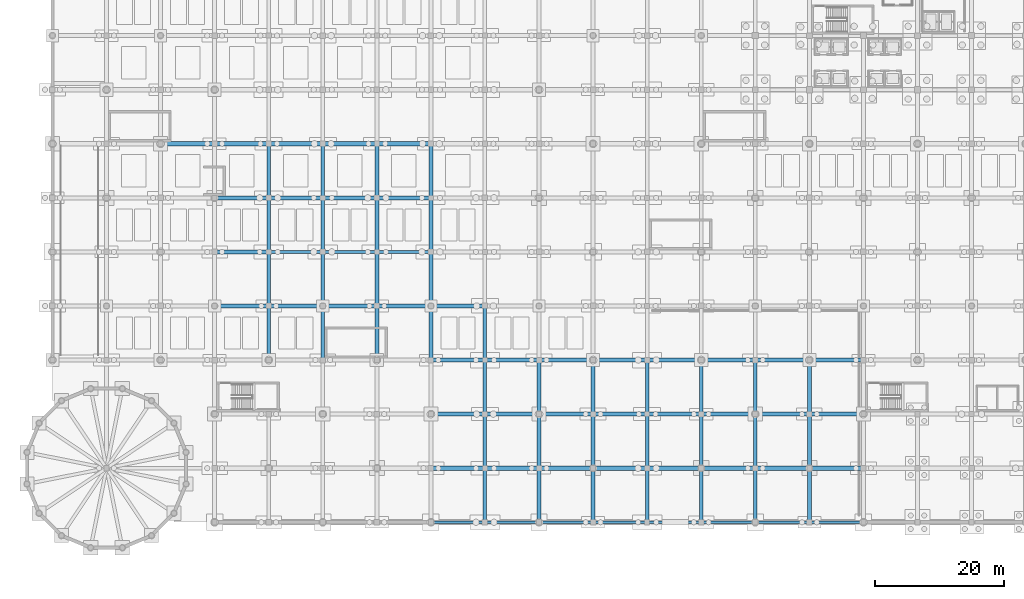
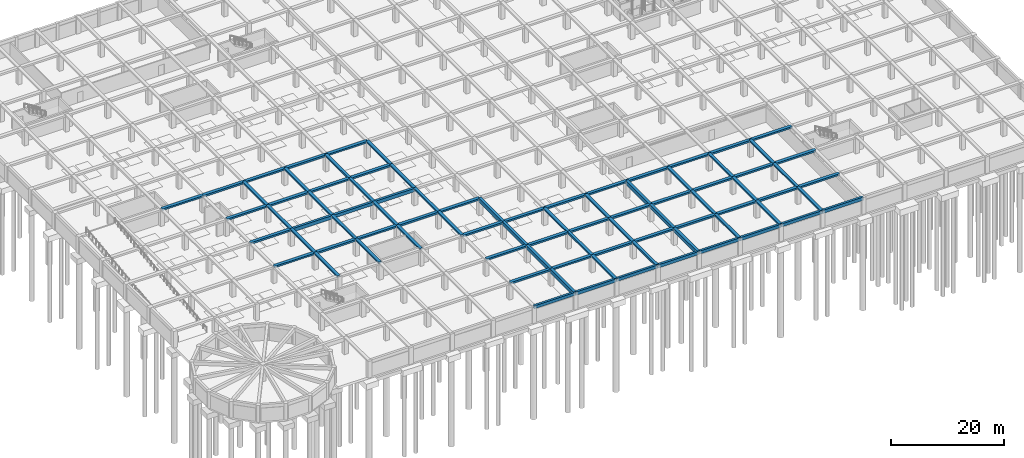
# One storey, part 12 of 47: 88 beams.
"""IFC4 building model written with IfcOpenShell, lengths in metres."""

from ifc_helpers import new_model, si_unit, direction, frame, origin, origin_2d, place, context, subcontext, project, spatial, rectangle, extrude, material, material_profile, profile_set, type_object, element, save


model = new_model("IFC4")

# Units and contexts
model_context = context("Model", 3, precision=1e-05, world=origin(), true_north=direction((0.0, 1.0)))
body_context = subcontext(model_context, "Body", "Model", "MODEL_VIEW")
ifc_project = project(units=[si_unit("LENGTHUNIT", "METRE"), si_unit("AREAUNIT", "SQUARE_METRE"), si_unit("VOLUMEUNIT", "CUBIC_METRE"), si_unit("PLANEANGLEUNIT", "RADIAN"), si_unit("MASSUNIT", "GRAM", prefix="KILO")], contexts=[model_context])

# Site, building, storey
site_placement = place(None, origin())
site = spatial("IfcSite", under=ifc_project, at=site_placement, CompositionType="ELEMENT")
building_placement = place(site_placement, origin())
building = spatial("IfcBuilding", under=site, at=building_placement, Name="Almacenes y Pasaje Nevantli", CompositionType="ELEMENT")
storey_placement = place(building_placement, frame((0.0, 0.0, -8.10009765625)))
storey = spatial("IfcBuildingStorey", under=building, at=storey_placement, Name="B02", CompositionType="ELEMENT", Elevation=-8.10009765625)

# Beams
ifc_material_1 = material(Name="Concrete C35/45", Category="concrete")
ifc_material_profile_1 = material_profile(ifc_material_1, rectangle(XDim=0.449951171875, YDim=0.64990234375, at=origin_2d()), Name="RC-BM-450x650")
ifc_profile_set_1 = profile_set([ifc_material_profile_1], Name="Concrete C35/45")
beam_type_1 = type_object("IfcBeamType", Name="BM-RC-450x650", PredefinedType="SPANDREL", material=ifc_profile_set_1)
for number, where, z_axis, x_axis, name in (
    (1, (58.800048828125, 0.0, 3.275146484375), (1.0, 0.0, 0.0), (0.0, 1.0, 0.0), "B02 East-West Reinforced Concrete Beam #5"),
    (2, (75.60009765625, 0.0, 3.275146484375), (1.0, 0.0, 0.0), (0.0, 1.0, 0.0), "B02 East-West Reinforced Concrete Beam #7"),
):
    element("IfcBeam", number, at=place(storey_placement, frame(where, z_axis=z_axis, x_axis=x_axis)), inside=storey, type_object=beam_type_1, Name=name, PredefinedType="SPANDREL", context=body_context, shape_type="SweptSolid", body=[
        extrude(rectangle(XDim=0.449951171875, YDim=0.64990234375, at=origin_2d()), origin(), (0.0, 0.0, 1.0), 8.39990234375),
    ])
for number, where, z_axis, x_axis, name in (
    (3, (92.39990234375, 0.0, 3.275146484375), (1.0, 0.0, 0.0), (0.0, 1.0, 0.0), "B02 East-West Reinforced Concrete Beam #9"),
    (4, (109.199951171875, 0.0, 3.275146484375), (1.0, 0.0, 0.0), (0.0, 1.0, 0.0), "B02 East-West Reinforced Concrete Beam #11"),
):
    element("IfcBeam", number, at=place(storey_placement, frame(where, z_axis=z_axis, x_axis=x_axis)), inside=storey, type_object=beam_type_1, Name=name, PredefinedType="SPANDREL", context=body_context, shape_type="SweptSolid", body=[
        extrude(rectangle(XDim=0.449951171875, YDim=0.64990234375, at=origin_2d()), origin(), (0.0, 0.0, 1.0), 8.400146484375),
    ])
ifc_material_2 = material(Name="Concrete C35/45", Category="concrete")
ifc_material_profile_2 = material_profile(ifc_material_2, rectangle(XDim=0.449951171875, YDim=0.699951171875, at=origin_2d()), Name="RC-BM-450x700")
ifc_profile_set_2 = profile_set([ifc_material_profile_2], Name="Concrete C35/45")
beam_type_2 = type_object("IfcBeamType", Name="BM-RC-450x700", PredefinedType="SPANDREL", material=ifc_profile_set_2)
beam_1_placement = place(storey_placement, frame((67.199951171875, 0.0, 3.25), z_axis=(1.0, 0.0, 0.0), x_axis=(0.0, 1.0, 0.0)))
element("IfcBeam", 5, at=beam_1_placement, inside=storey, type_object=beam_type_2, Name="B02 East-West Reinforced Concrete Beam #6", PredefinedType="SPANDREL", context=body_context, shape_type="SweptSolid", body=[
    extrude(rectangle(XDim=0.449951171875, YDim=0.699951171875, at=origin_2d()), origin(), (0.0, 0.0, 1.0), 8.400146484375),
])
for number, where, z_axis, x_axis, name in (
    (6, (84.0, 0.0, 3.25), (1.0, 0.0, 0.0), (0.0, 1.0, 0.0), "B02 East-West Reinforced Concrete Beam #8"),
    (7, (100.800048828125, 0.0, 3.25), (1.0, 0.0, 0.0), (0.0, 1.0, 0.0), "B02 East-West Reinforced Concrete Beam #10"),
    (8, (117.60009765625, 0.0, 3.25), (1.0, 0.0, 0.0), (0.0, 1.0, 0.0), "B02 East-West Reinforced Concrete Beam #12"),
):
    element("IfcBeam", number, at=place(storey_placement, frame(where, z_axis=z_axis, x_axis=x_axis)), inside=storey, type_object=beam_type_2, Name=name, PredefinedType="SPANDREL", context=body_context, shape_type="SweptSolid", body=[
        extrude(rectangle(XDim=0.449951171875, YDim=0.699951171875, at=origin_2d()), origin(), (0.0, 0.0, 1.0), 8.39990234375),
    ])
ifc_material_3 = material(Name="Concrete C35/45", Category="concrete")
ifc_material_profile_3 = material_profile(ifc_material_3, rectangle(XDim=0.5, YDim=0.699951171875, at=origin_2d()), Name="RC-BM-500x700")
ifc_profile_set_3 = profile_set([ifc_material_profile_3], Name="Concrete C35/45")
beam_type_3 = type_object("IfcBeamType", Name="BM-RC-500x700", PredefinedType="BEAM", material=ifc_profile_set_3)
beam_2_placement = place(storey_placement, frame((42.0, 42.0, 3.25), z_axis=(1.0, 0.0, 0.0), x_axis=(0.0, 1.0, 0.0)))
element("IfcBeam", 9, at=beam_2_placement, inside=storey, type_object=beam_type_3, Name="B02 East-West Reinforced Concrete Beam #97", PredefinedType="BEAM", context=body_context, shape_type="SweptSolid", body=[
    extrude(rectangle(XDim=0.5, YDim=0.699951171875, at=origin_2d()), origin(), (0.0, 0.0, 1.0), 8.39990234375),
])
ifc_material_4 = material(Name="Concrete C35/45", Category="concrete")
ifc_material_profile_4 = material_profile(ifc_material_4, rectangle(XDim=0.5, YDim=0.75, at=origin_2d()), Name="RC-BM-500x750")
ifc_profile_set_4 = profile_set([ifc_material_profile_4], Name="Concrete C35/45")
beam_type_4 = type_object("IfcBeamType", Name="BM-RC-500x750", PredefinedType="BEAM", material=ifc_profile_set_4)
beam_3_placement = place(storey_placement, frame((33.60009765625, 42.0, 3.22509765625), z_axis=(1.0, 0.0, 0.0), x_axis=(0.0, 1.0, 0.0)))
element("IfcBeam", 10, at=beam_3_placement, inside=storey, type_object=beam_type_4, Name="B02 East-West Reinforced Concrete Beam #96", PredefinedType="BEAM", context=body_context, shape_type="SweptSolid", body=[
    extrude(rectangle(XDim=0.5, YDim=0.75, at=origin_2d()), origin(), (0.0, 0.0, 1.0), 8.39990234375),
])
beam_4_placement = place(storey_placement, frame((50.39990234375, 42.0, 3.22509765625), z_axis=(1.0, 0.0, 0.0), x_axis=(0.0, 1.0, 0.0)))
element("IfcBeam", 11, at=beam_4_placement, inside=storey, type_object=beam_type_4, Name="B02 East-West Reinforced Concrete Beam #98", PredefinedType="BEAM", context=body_context, shape_type="SweptSolid", body=[
    extrude(rectangle(XDim=0.5, YDim=0.75, at=origin_2d()), origin(), (0.0, 0.0, 1.0), 8.400146484375),
])
ifc_material_5 = material(Name="Concrete C35/45", Category="concrete")
ifc_material_profile_5 = material_profile(ifc_material_5, rectangle(XDim=0.550048828125, YDim=0.800048828125, at=origin_2d()), Name="RC-BM-550x800")
ifc_profile_set_5 = profile_set([ifc_material_profile_5], Name="Concrete C35/45")
beam_type_5 = type_object("IfcBeamType", Name="BM-RC-550x800", PredefinedType="BEAM", material=ifc_profile_set_5)
beam_5_placement = place(storey_placement, frame((67.199951171875, 0.0, 3.2001953125), z_axis=(0.0, 1.0, 0.0), x_axis=(-1.0, 0.0, 0.0)))
element("IfcBeam", 12, at=beam_5_placement, inside=storey, type_object=beam_type_5, Name="B02 North-South Reinforced Concrete Beam #392", PredefinedType="BEAM", context=body_context, shape_type="SweptSolid", body=[
    extrude(rectangle(XDim=0.550048828125, YDim=0.800048828125, at=origin_2d()), origin(), (0.0, 0.0, 1.0), 8.39990234375),
])
beam_6_placement = place(storey_placement, frame((67.199951171875, 8.39990234375, 3.2001953125), z_axis=(0.0, 1.0, 0.0), x_axis=(-1.0, 0.0, 0.0)))
element("IfcBeam", 13, at=beam_6_placement, inside=storey, type_object=beam_type_5, Name="B02 North-South Reinforced Concrete Beam #393", PredefinedType="BEAM", context=body_context, shape_type="SweptSolid", body=[
    extrude(rectangle(XDim=0.550048828125, YDim=0.800048828125, at=origin_2d()), origin(), (0.0, 0.0, 1.0), 8.400146484375),
])
beam_7_placement = place(storey_placement, frame((67.199951171875, 16.800048828125, 3.2001953125), z_axis=(0.0, 1.0, 0.0), x_axis=(-1.0, 0.0, 0.0)))
element("IfcBeam", 14, at=beam_7_placement, inside=storey, type_object=beam_type_5, Name="B02 North-South Reinforced Concrete Beam #394", PredefinedType="BEAM", context=body_context, shape_type="SweptSolid", body=[
    extrude(rectangle(XDim=0.550048828125, YDim=0.800048828125, at=origin_2d()), origin(), (0.0, 0.0, 1.0), 8.39990234375),
])
beam_8_placement = place(storey_placement, frame((67.199951171875, 25.199951171875, 3.2001953125), z_axis=(0.0, 1.0, 0.0), x_axis=(-1.0, 0.0, 0.0)))
element("IfcBeam", 15, at=beam_8_placement, inside=storey, type_object=beam_type_5, Name="B02 North-South Reinforced Concrete Beam #395", PredefinedType="BEAM", context=body_context, shape_type="SweptSolid", body=[
    extrude(rectangle(XDim=0.550048828125, YDim=0.800048828125, at=origin_2d()), origin(), (0.0, 0.0, 1.0), 8.400146484375),
])
beam_9_placement = place(storey_placement, frame((92.39990234375, 0.0, 3.2001953125), z_axis=(0.0, 1.0, 0.0), x_axis=(-1.0, 0.0, 0.0)))
element("IfcBeam", 16, at=beam_9_placement, inside=storey, type_object=beam_type_5, Name="B02 North-South Reinforced Concrete Beam #434", PredefinedType="BEAM", context=body_context, shape_type="SweptSolid", body=[
    extrude(rectangle(XDim=0.550048828125, YDim=0.800048828125, at=origin_2d()), origin(), (0.0, 0.0, 1.0), 8.39990234375),
])
beam_10_placement = place(storey_placement, frame((92.39990234375, 8.39990234375, 3.2001953125), z_axis=(0.0, 1.0, 0.0), x_axis=(-1.0, 0.0, 0.0)))
element("IfcBeam", 17, at=beam_10_placement, inside=storey, type_object=beam_type_5, Name="B02 North-South Reinforced Concrete Beam #435", PredefinedType="BEAM", context=body_context, shape_type="SweptSolid", body=[
    extrude(rectangle(XDim=0.550048828125, YDim=0.800048828125, at=origin_2d()), origin(), (0.0, 0.0, 1.0), 8.400146484375),
])
beam_11_placement = place(storey_placement, frame((92.39990234375, 16.800048828125, 3.2001953125), z_axis=(0.0, 1.0, 0.0), x_axis=(-1.0, 0.0, 0.0)))
element("IfcBeam", 18, at=beam_11_placement, inside=storey, type_object=beam_type_5, Name="B02 North-South Reinforced Concrete Beam #436", PredefinedType="BEAM", context=body_context, shape_type="SweptSolid", body=[
    extrude(rectangle(XDim=0.550048828125, YDim=0.800048828125, at=origin_2d()), origin(), (0.0, 0.0, 1.0), 8.39990234375),
])
ifc_material_6 = material(Name="Concrete C35/45", Category="concrete")
ifc_material_profile_6 = material_profile(ifc_material_6, rectangle(XDim=0.60009765625, YDim=0.320068359375, at=origin_2d()), Name="RC-BM-600x320")
ifc_profile_set_6 = profile_set([ifc_material_profile_6], Name="Concrete C35/45")
beam_type_6 = type_object("IfcBeamType", Name="BM-RC-600x320", PredefinedType="BEAM", material=ifc_profile_set_6)
beam_12_placement = place(storey_placement, frame((33.60009765625, 25.199951171875, 3.440185546875), z_axis=(0.0, 1.0, 0.0), x_axis=(-1.0, 0.0, 0.0)))
element("IfcBeam", 19, at=beam_12_placement, inside=storey, type_object=beam_type_6, Name="B02 North-South Reinforced Concrete Beam #340", PredefinedType="BEAM", context=body_context, shape_type="SweptSolid", body=[
    extrude(rectangle(XDim=0.60009765625, YDim=0.320068359375, at=origin_2d()), origin(), (0.0, 0.0, 1.0), 8.400146484375),
])
for number, where, z_axis, x_axis, name in (
    (20, (33.60009765625, 42.0, 3.440185546875), (0.0, 1.0, 0.0), (-1.0, 0.0, 0.0), "B02 North-South Reinforced Concrete Beam #342"),
    (21, (42.0, 33.60009765625, 3.440185546875), (0.0, 1.0, 0.0), (-1.0, 0.0, 0.0), "B02 North-South Reinforced Concrete Beam #355"),
):
    element("IfcBeam", number, at=place(storey_placement, frame(where, z_axis=z_axis, x_axis=x_axis)), inside=storey, type_object=beam_type_6, Name=name, PredefinedType="BEAM", context=body_context, shape_type="SweptSolid", body=[
        extrude(rectangle(XDim=0.60009765625, YDim=0.320068359375, at=origin_2d()), origin(), (0.0, 0.0, 1.0), 8.39990234375),
    ])
for number, where, z_axis, x_axis, name in (
    (22, (42.0, 50.39990234375, 3.440185546875), (0.0, 1.0, 0.0), (-1.0, 0.0, 0.0), "B02 North-South Reinforced Concrete Beam #357"),
    (23, (50.39990234375, 25.199951171875, 3.440185546875), (0.0, 1.0, 0.0), (-1.0, 0.0, 0.0), "B02 North-South Reinforced Concrete Beam #368"),
):
    element("IfcBeam", number, at=place(storey_placement, frame(where, z_axis=z_axis, x_axis=x_axis)), inside=storey, type_object=beam_type_6, Name=name, PredefinedType="BEAM", context=body_context, shape_type="SweptSolid", body=[
        extrude(rectangle(XDim=0.60009765625, YDim=0.320068359375, at=origin_2d()), origin(), (0.0, 0.0, 1.0), 8.400146484375),
    ])
for number, where, z_axis, x_axis, name in (
    (24, (50.39990234375, 42.0, 3.440185546875), (0.0, 1.0, 0.0), (-1.0, 0.0, 0.0), "B02 North-South Reinforced Concrete Beam #370"),
    (25, (58.800048828125, 33.60009765625, 3.440185546875), (0.0, 1.0, 0.0), (-1.0, 0.0, 0.0), "B02 North-South Reinforced Concrete Beam #383"),
):
    element("IfcBeam", number, at=place(storey_placement, frame(where, z_axis=z_axis, x_axis=x_axis)), inside=storey, type_object=beam_type_6, Name=name, PredefinedType="BEAM", context=body_context, shape_type="SweptSolid", body=[
        extrude(rectangle(XDim=0.60009765625, YDim=0.320068359375, at=origin_2d()), origin(), (0.0, 0.0, 1.0), 8.39990234375),
    ])
beam_13_placement = place(storey_placement, frame((58.800048828125, 50.39990234375, 3.440185546875), z_axis=(0.0, 1.0, 0.0), x_axis=(-1.0, 0.0, 0.0)))
element("IfcBeam", 26, at=beam_13_placement, inside=storey, type_object=beam_type_6, Name="B02 North-South Reinforced Concrete Beam #385", PredefinedType="BEAM", context=body_context, shape_type="SweptSolid", body=[
    extrude(rectangle(XDim=0.60009765625, YDim=0.320068359375, at=origin_2d()), origin(), (0.0, 0.0, 1.0), 8.400146484375),
])
for number, where, z_axis, x_axis, name in (
    (27, (75.60009765625, 0.0, 3.440185546875), (0.0, 1.0, 0.0), (-1.0, 0.0, 0.0), "B02 North-South Reinforced Concrete Beam #406"),
    (28, (75.60009765625, 16.800048828125, 3.440185546875), (0.0, 1.0, 0.0), (-1.0, 0.0, 0.0), "B02 North-South Reinforced Concrete Beam #408"),
):
    element("IfcBeam", number, at=place(storey_placement, frame(where, z_axis=z_axis, x_axis=x_axis)), inside=storey, type_object=beam_type_6, Name=name, PredefinedType="BEAM", context=body_context, shape_type="SweptSolid", body=[
        extrude(rectangle(XDim=0.60009765625, YDim=0.320068359375, at=origin_2d()), origin(), (0.0, 0.0, 1.0), 8.39990234375),
    ])
for number, where, z_axis, x_axis, name in (
    (29, (84.0, 8.39990234375, 3.440185546875), (0.0, 1.0, 0.0), (-1.0, 0.0, 0.0), "B02 North-South Reinforced Concrete Beam #421"),
    (30, (100.800048828125, 8.39990234375, 3.440185546875), (0.0, 1.0, 0.0), (-1.0, 0.0, 0.0), "B02 North-South Reinforced Concrete Beam #449"),
):
    element("IfcBeam", number, at=place(storey_placement, frame(where, z_axis=z_axis, x_axis=x_axis)), inside=storey, type_object=beam_type_6, Name=name, PredefinedType="BEAM", context=body_context, shape_type="SweptSolid", body=[
        extrude(rectangle(XDim=0.60009765625, YDim=0.320068359375, at=origin_2d()), origin(), (0.0, 0.0, 1.0), 8.400146484375),
    ])
for number, where, z_axis, x_axis, name in (
    (31, (109.199951171875, 0.0, 3.440185546875), (0.0, 1.0, 0.0), (-1.0, 0.0, 0.0), "B02 North-South Reinforced Concrete Beam #462"),
    (32, (109.199951171875, 16.800048828125, 3.440185546875), (0.0, 1.0, 0.0), (-1.0, 0.0, 0.0), "B02 North-South Reinforced Concrete Beam #464"),
):
    element("IfcBeam", number, at=place(storey_placement, frame(where, z_axis=z_axis, x_axis=x_axis)), inside=storey, type_object=beam_type_6, Name=name, PredefinedType="BEAM", context=body_context, shape_type="SweptSolid", body=[
        extrude(rectangle(XDim=0.60009765625, YDim=0.320068359375, at=origin_2d()), origin(), (0.0, 0.0, 1.0), 8.39990234375),
    ])
beam_14_placement = place(storey_placement, frame((117.60009765625, 8.39990234375, 3.440185546875), z_axis=(0.0, 1.0, 0.0), x_axis=(-1.0, 0.0, 0.0)))
element("IfcBeam", 33, at=beam_14_placement, inside=storey, type_object=beam_type_6, Name="B02 North-South Reinforced Concrete Beam #477", PredefinedType="BEAM", context=body_context, shape_type="SweptSolid", body=[
    extrude(rectangle(XDim=0.60009765625, YDim=0.320068359375, at=origin_2d()), origin(), (0.0, 0.0, 1.0), 8.400146484375),
])
ifc_material_7 = material(Name="Concrete C35/45", Category="concrete")
ifc_material_profile_7 = material_profile(ifc_material_7, rectangle(XDim=0.60009765625, YDim=0.340087890625, at=origin_2d()), Name="RC-BM-600x340")
ifc_profile_set_7 = profile_set([ifc_material_profile_7], Name="Concrete C35/45")
beam_type_7 = type_object("IfcBeamType", Name="BM-RC-600x340", PredefinedType="BEAM", material=ifc_profile_set_7)
beam_15_placement = place(storey_placement, frame((33.60009765625, 33.60009765625, 3.43017578125), z_axis=(0.0, 1.0, 0.0), x_axis=(-1.0, 0.0, 0.0)))
element("IfcBeam", 34, at=beam_15_placement, inside=storey, type_object=beam_type_7, Name="B02 North-South Reinforced Concrete Beam #341", PredefinedType="BEAM", context=body_context, shape_type="SweptSolid", body=[
    extrude(rectangle(XDim=0.60009765625, YDim=0.340087890625, at=origin_2d()), origin(), (0.0, 0.0, 1.0), 8.39990234375),
])
for number, where, z_axis, x_axis, name in (
    (35, (33.60009765625, 50.39990234375, 3.43017578125), (0.0, 1.0, 0.0), (-1.0, 0.0, 0.0), "B02 North-South Reinforced Concrete Beam #343"),
    (36, (42.0, 25.199951171875, 3.43017578125), (0.0, 1.0, 0.0), (-1.0, 0.0, 0.0), "B02 North-South Reinforced Concrete Beam #354"),
):
    element("IfcBeam", number, at=place(storey_placement, frame(where, z_axis=z_axis, x_axis=x_axis)), inside=storey, type_object=beam_type_7, Name=name, PredefinedType="BEAM", context=body_context, shape_type="SweptSolid", body=[
        extrude(rectangle(XDim=0.60009765625, YDim=0.340087890625, at=origin_2d()), origin(), (0.0, 0.0, 1.0), 8.400146484375),
    ])
for number, where, z_axis, x_axis, name in (
    (37, (42.0, 42.0, 3.43017578125), (0.0, 1.0, 0.0), (-1.0, 0.0, 0.0), "B02 North-South Reinforced Concrete Beam #356"),
    (38, (50.39990234375, 33.60009765625, 3.43017578125), (0.0, 1.0, 0.0), (-1.0, 0.0, 0.0), "B02 North-South Reinforced Concrete Beam #369"),
):
    element("IfcBeam", number, at=place(storey_placement, frame(where, z_axis=z_axis, x_axis=x_axis)), inside=storey, type_object=beam_type_7, Name=name, PredefinedType="BEAM", context=body_context, shape_type="SweptSolid", body=[
        extrude(rectangle(XDim=0.60009765625, YDim=0.340087890625, at=origin_2d()), origin(), (0.0, 0.0, 1.0), 8.39990234375),
    ])
for number, where, z_axis, x_axis, name in (
    (39, (50.39990234375, 50.39990234375, 3.43017578125), (0.0, 1.0, 0.0), (-1.0, 0.0, 0.0), "B02 North-South Reinforced Concrete Beam #371"),
    (40, (58.800048828125, 25.199951171875, 3.43017578125), (0.0, 1.0, 0.0), (-1.0, 0.0, 0.0), "B02 North-South Reinforced Concrete Beam #382"),
):
    element("IfcBeam", number, at=place(storey_placement, frame(where, z_axis=z_axis, x_axis=x_axis)), inside=storey, type_object=beam_type_7, Name=name, PredefinedType="BEAM", context=body_context, shape_type="SweptSolid", body=[
        extrude(rectangle(XDim=0.60009765625, YDim=0.340087890625, at=origin_2d()), origin(), (0.0, 0.0, 1.0), 8.400146484375),
    ])
beam_16_placement = place(storey_placement, frame((58.800048828125, 42.0, 3.43017578125), z_axis=(0.0, 1.0, 0.0), x_axis=(-1.0, 0.0, 0.0)))
element("IfcBeam", 41, at=beam_16_placement, inside=storey, type_object=beam_type_7, Name="B02 North-South Reinforced Concrete Beam #384", PredefinedType="BEAM", context=body_context, shape_type="SweptSolid", body=[
    extrude(rectangle(XDim=0.60009765625, YDim=0.340087890625, at=origin_2d()), origin(), (0.0, 0.0, 1.0), 8.39990234375),
])
beam_17_placement = place(storey_placement, frame((75.60009765625, 8.39990234375, 3.43017578125), z_axis=(0.0, 1.0, 0.0), x_axis=(-1.0, 0.0, 0.0)))
element("IfcBeam", 42, at=beam_17_placement, inside=storey, type_object=beam_type_7, Name="B02 North-South Reinforced Concrete Beam #407", PredefinedType="BEAM", context=body_context, shape_type="SweptSolid", body=[
    extrude(rectangle(XDim=0.60009765625, YDim=0.340087890625, at=origin_2d()), origin(), (0.0, 0.0, 1.0), 8.400146484375),
])
for number, where, z_axis, x_axis, name in (
    (43, (84.0, 0.0, 3.43017578125), (0.0, 1.0, 0.0), (-1.0, 0.0, 0.0), "B02 North-South Reinforced Concrete Beam #420"),
    (44, (84.0, 16.800048828125, 3.43017578125), (0.0, 1.0, 0.0), (-1.0, 0.0, 0.0), "B02 North-South Reinforced Concrete Beam #422"),
    (45, (100.800048828125, 0.0, 3.43017578125), (0.0, 1.0, 0.0), (-1.0, 0.0, 0.0), "B02 North-South Reinforced Concrete Beam #448"),
    (46, (100.800048828125, 16.800048828125, 3.43017578125), (0.0, 1.0, 0.0), (-1.0, 0.0, 0.0), "B02 North-South Reinforced Concrete Beam #450"),
):
    element("IfcBeam", number, at=place(storey_placement, frame(where, z_axis=z_axis, x_axis=x_axis)), inside=storey, type_object=beam_type_7, Name=name, PredefinedType="BEAM", context=body_context, shape_type="SweptSolid", body=[
        extrude(rectangle(XDim=0.60009765625, YDim=0.340087890625, at=origin_2d()), origin(), (0.0, 0.0, 1.0), 8.39990234375),
    ])
beam_18_placement = place(storey_placement, frame((109.199951171875, 8.39990234375, 3.43017578125), z_axis=(0.0, 1.0, 0.0), x_axis=(-1.0, 0.0, 0.0)))
element("IfcBeam", 47, at=beam_18_placement, inside=storey, type_object=beam_type_7, Name="B02 North-South Reinforced Concrete Beam #463", PredefinedType="BEAM", context=body_context, shape_type="SweptSolid", body=[
    extrude(rectangle(XDim=0.60009765625, YDim=0.340087890625, at=origin_2d()), origin(), (0.0, 0.0, 1.0), 8.400146484375),
])
for number, where, z_axis, x_axis, name in (
    (48, (117.60009765625, 0.0, 3.43017578125), (0.0, 1.0, 0.0), (-1.0, 0.0, 0.0), "B02 North-South Reinforced Concrete Beam #476"),
    (49, (117.60009765625, 16.800048828125, 3.43017578125), (0.0, 1.0, 0.0), (-1.0, 0.0, 0.0), "B02 North-South Reinforced Concrete Beam #478"),
):
    element("IfcBeam", number, at=place(storey_placement, frame(where, z_axis=z_axis, x_axis=x_axis)), inside=storey, type_object=beam_type_7, Name=name, PredefinedType="BEAM", context=body_context, shape_type="SweptSolid", body=[
        extrude(rectangle(XDim=0.60009765625, YDim=0.340087890625, at=origin_2d()), origin(), (0.0, 0.0, 1.0), 8.39990234375),
    ])
ifc_material_8 = material(Name="Concrete C35/45", Category="concrete")
ifc_material_profile_8 = material_profile(ifc_material_8, rectangle(XDim=0.64990234375, YDim=0.35009765625, at=origin_2d()), Name="RC-BM-650x350")
ifc_profile_set_8 = profile_set([ifc_material_profile_8], Name="Concrete C35/45")
beam_type_8 = type_object("IfcBeamType", Name="BM-RC-650x350", PredefinedType="BEAM", material=ifc_profile_set_8)
beam_19_placement = place(storey_placement, frame((67.199951171875, 8.39990234375, 3.425048828125), z_axis=(1.0, 0.0, 0.0), x_axis=(0.0, 1.0, 0.0)))
element("IfcBeam", 50, at=beam_19_placement, inside=storey, type_object=beam_type_8, Name="B02 East-West Reinforced Concrete Beam #23", PredefinedType="BEAM", context=body_context, shape_type="SweptSolid", body=[
    extrude(rectangle(XDim=0.64990234375, YDim=0.35009765625, at=origin_2d()), origin(), (0.0, 0.0, 1.0), 8.400146484375),
])
for number, where, z_axis, x_axis, name in (
    (51, (84.0, 8.39990234375, 3.425048828125), (1.0, 0.0, 0.0), (0.0, 1.0, 0.0), "B02 East-West Reinforced Concrete Beam #25"),
    (52, (100.800048828125, 8.39990234375, 3.425048828125), (1.0, 0.0, 0.0), (0.0, 1.0, 0.0), "B02 East-West Reinforced Concrete Beam #27"),
    (53, (117.60009765625, 8.39990234375, 3.425048828125), (1.0, 0.0, 0.0), (0.0, 1.0, 0.0), "B02 East-West Reinforced Concrete Beam #29"),
    (54, (58.800048828125, 16.800048828125, 3.425048828125), (1.0, 0.0, 0.0), (0.0, 1.0, 0.0), "B02 East-West Reinforced Concrete Beam #39"),
    (55, (75.60009765625, 16.800048828125, 3.425048828125), (1.0, 0.0, 0.0), (0.0, 1.0, 0.0), "B02 East-West Reinforced Concrete Beam #41"),
):
    element("IfcBeam", number, at=place(storey_placement, frame(where, z_axis=z_axis, x_axis=x_axis)), inside=storey, type_object=beam_type_8, Name=name, PredefinedType="BEAM", context=body_context, shape_type="SweptSolid", body=[
        extrude(rectangle(XDim=0.64990234375, YDim=0.35009765625, at=origin_2d()), origin(), (0.0, 0.0, 1.0), 8.39990234375),
    ])
for number, where, z_axis, x_axis, name in (
    (56, (92.39990234375, 16.800048828125, 3.425048828125), (1.0, 0.0, 0.0), (0.0, 1.0, 0.0), "B02 East-West Reinforced Concrete Beam #43"),
    (57, (109.199951171875, 16.800048828125, 3.425048828125), (1.0, 0.0, 0.0), (0.0, 1.0, 0.0), "B02 East-West Reinforced Concrete Beam #45"),
    (58, (67.199951171875, 25.199951171875, 3.425048828125), (1.0, 0.0, 0.0), (0.0, 1.0, 0.0), "B02 East-West Reinforced Concrete Beam #60"),
):
    element("IfcBeam", number, at=place(storey_placement, frame(where, z_axis=z_axis, x_axis=x_axis)), inside=storey, type_object=beam_type_8, Name=name, PredefinedType="BEAM", context=body_context, shape_type="SweptSolid", body=[
        extrude(rectangle(XDim=0.64990234375, YDim=0.35009765625, at=origin_2d()), origin(), (0.0, 0.0, 1.0), 8.400146484375),
    ])
for number, where, z_axis, x_axis, name in (
    (59, (84.0, 25.199951171875, 3.425048828125), (1.0, 0.0, 0.0), (0.0, 1.0, 0.0), "B02 East-West Reinforced Concrete Beam #62"),
    (60, (100.800048828125, 25.199951171875, 3.425048828125), (1.0, 0.0, 0.0), (0.0, 1.0, 0.0), "B02 East-West Reinforced Concrete Beam #64"),
    (61, (117.60009765625, 25.199951171875, 3.425048828125), (1.0, 0.0, 0.0), (0.0, 1.0, 0.0), "B02 East-West Reinforced Concrete Beam #66"),
):
    element("IfcBeam", number, at=place(storey_placement, frame(where, z_axis=z_axis, x_axis=x_axis)), inside=storey, type_object=beam_type_8, Name=name, PredefinedType="BEAM", context=body_context, shape_type="SweptSolid", body=[
        extrude(rectangle(XDim=0.64990234375, YDim=0.35009765625, at=origin_2d()), origin(), (0.0, 0.0, 1.0), 8.39990234375),
    ])
beam_20_placement = place(storey_placement, frame((25.199951171875, 33.60009765625, 3.425048828125), z_axis=(1.0, 0.0, 0.0), x_axis=(0.0, 1.0, 0.0)))
element("IfcBeam", 62, at=beam_20_placement, inside=storey, type_object=beam_type_8, Name="B02 East-West Reinforced Concrete Beam #75", PredefinedType="BEAM", context=body_context, shape_type="SweptSolid", body=[
    extrude(rectangle(XDim=0.64990234375, YDim=0.35009765625, at=origin_2d()), origin(), (0.0, 0.0, 1.0), 8.400146484375),
])
for number, where, z_axis, x_axis, name in (
    (63, (42.0, 33.60009765625, 3.425048828125), (1.0, 0.0, 0.0), (0.0, 1.0, 0.0), "B02 East-West Reinforced Concrete Beam #77"),
    (64, (58.800048828125, 33.60009765625, 3.425048828125), (1.0, 0.0, 0.0), (0.0, 1.0, 0.0), "B02 East-West Reinforced Concrete Beam #79"),
):
    element("IfcBeam", number, at=place(storey_placement, frame(where, z_axis=z_axis, x_axis=x_axis)), inside=storey, type_object=beam_type_8, Name=name, PredefinedType="BEAM", context=body_context, shape_type="SweptSolid", body=[
        extrude(rectangle(XDim=0.64990234375, YDim=0.35009765625, at=origin_2d()), origin(), (0.0, 0.0, 1.0), 8.39990234375),
    ])
beam_21_placement = place(storey_placement, frame((25.199951171875, 50.39990234375, 3.425048828125), z_axis=(1.0, 0.0, 0.0), x_axis=(0.0, 1.0, 0.0)))
element("IfcBeam", 65, at=beam_21_placement, inside=storey, type_object=beam_type_8, Name="B02 East-West Reinforced Concrete Beam #115", PredefinedType="BEAM", context=body_context, shape_type="SweptSolid", body=[
    extrude(rectangle(XDim=0.64990234375, YDim=0.35009765625, at=origin_2d()), origin(), (0.0, 0.0, 1.0), 8.400146484375),
])
for number, where, z_axis, x_axis, name in (
    (66, (42.0, 50.39990234375, 3.425048828125), (1.0, 0.0, 0.0), (0.0, 1.0, 0.0), "B02 East-West Reinforced Concrete Beam #117"),
    (67, (16.800048828125, 58.800048828125, 3.425048828125), (1.0, 0.0, 0.0), (0.0, 1.0, 0.0), "B02 East-West Reinforced Concrete Beam #134"),
    (68, (33.60009765625, 58.800048828125, 3.425048828125), (1.0, 0.0, 0.0), (0.0, 1.0, 0.0), "B02 East-West Reinforced Concrete Beam #136"),
):
    element("IfcBeam", number, at=place(storey_placement, frame(where, z_axis=z_axis, x_axis=x_axis)), inside=storey, type_object=beam_type_8, Name=name, PredefinedType="BEAM", context=body_context, shape_type="SweptSolid", body=[
        extrude(rectangle(XDim=0.64990234375, YDim=0.35009765625, at=origin_2d()), origin(), (0.0, 0.0, 1.0), 8.39990234375),
    ])
beam_22_placement = place(storey_placement, frame((50.39990234375, 58.800048828125, 3.425048828125), z_axis=(1.0, 0.0, 0.0), x_axis=(0.0, 1.0, 0.0)))
element("IfcBeam", 69, at=beam_22_placement, inside=storey, type_object=beam_type_8, Name="B02 East-West Reinforced Concrete Beam #138", PredefinedType="BEAM", context=body_context, shape_type="SweptSolid", body=[
    extrude(rectangle(XDim=0.64990234375, YDim=0.35009765625, at=origin_2d()), origin(), (0.0, 0.0, 1.0), 8.400146484375),
])
ifc_material_9 = material(Name="Concrete C35/45", Category="concrete")
ifc_material_profile_9 = material_profile(ifc_material_9, rectangle(XDim=0.64990234375, YDim=0.3798828125, at=origin_2d()), Name="RC-BM-650x380")
ifc_profile_set_9 = profile_set([ifc_material_profile_9], Name="Concrete C35/45")
beam_type_9 = type_object("IfcBeamType", Name="BM-RC-650x380", PredefinedType="BEAM", material=ifc_profile_set_9)
for number, where, z_axis, x_axis, name in (
    (70, (58.800048828125, 8.39990234375, 3.41015625), (1.0, 0.0, 0.0), (0.0, 1.0, 0.0), "B02 East-West Reinforced Concrete Beam #22"),
    (71, (75.60009765625, 8.39990234375, 3.41015625), (1.0, 0.0, 0.0), (0.0, 1.0, 0.0), "B02 East-West Reinforced Concrete Beam #24"),
):
    element("IfcBeam", number, at=place(storey_placement, frame(where, z_axis=z_axis, x_axis=x_axis)), inside=storey, type_object=beam_type_9, Name=name, PredefinedType="BEAM", context=body_context, shape_type="SweptSolid", body=[
        extrude(rectangle(XDim=0.64990234375, YDim=0.3798828125, at=origin_2d()), origin(), (0.0, 0.0, 1.0), 8.39990234375),
    ])
for number, where, z_axis, x_axis, name in (
    (72, (92.39990234375, 8.39990234375, 3.41015625), (1.0, 0.0, 0.0), (0.0, 1.0, 0.0), "B02 East-West Reinforced Concrete Beam #26"),
    (73, (109.199951171875, 8.39990234375, 3.41015625), (1.0, 0.0, 0.0), (0.0, 1.0, 0.0), "B02 East-West Reinforced Concrete Beam #28"),
    (74, (67.199951171875, 16.800048828125, 3.41015625), (1.0, 0.0, 0.0), (0.0, 1.0, 0.0), "B02 East-West Reinforced Concrete Beam #40"),
):
    element("IfcBeam", number, at=place(storey_placement, frame(where, z_axis=z_axis, x_axis=x_axis)), inside=storey, type_object=beam_type_9, Name=name, PredefinedType="BEAM", context=body_context, shape_type="SweptSolid", body=[
        extrude(rectangle(XDim=0.64990234375, YDim=0.3798828125, at=origin_2d()), origin(), (0.0, 0.0, 1.0), 8.400146484375),
    ])
for number, where, z_axis, x_axis, name in (
    (75, (84.0, 16.800048828125, 3.41015625), (1.0, 0.0, 0.0), (0.0, 1.0, 0.0), "B02 East-West Reinforced Concrete Beam #42"),
    (76, (100.800048828125, 16.800048828125, 3.41015625), (1.0, 0.0, 0.0), (0.0, 1.0, 0.0), "B02 East-West Reinforced Concrete Beam #44"),
    (77, (117.60009765625, 16.800048828125, 3.41015625), (1.0, 0.0, 0.0), (0.0, 1.0, 0.0), "B02 East-West Reinforced Concrete Beam #46"),
    (78, (58.800048828125, 25.199951171875, 3.41015625), (1.0, 0.0, 0.0), (0.0, 1.0, 0.0), "B02 East-West Reinforced Concrete Beam #59"),
    (79, (75.60009765625, 25.199951171875, 3.41015625), (1.0, 0.0, 0.0), (0.0, 1.0, 0.0), "B02 East-West Reinforced Concrete Beam #61"),
):
    element("IfcBeam", number, at=place(storey_placement, frame(where, z_axis=z_axis, x_axis=x_axis)), inside=storey, type_object=beam_type_9, Name=name, PredefinedType="BEAM", context=body_context, shape_type="SweptSolid", body=[
        extrude(rectangle(XDim=0.64990234375, YDim=0.3798828125, at=origin_2d()), origin(), (0.0, 0.0, 1.0), 8.39990234375),
    ])
for number, where, z_axis, x_axis, name in (
    (80, (92.39990234375, 25.199951171875, 3.41015625), (1.0, 0.0, 0.0), (0.0, 1.0, 0.0), "B02 East-West Reinforced Concrete Beam #63"),
    (81, (109.199951171875, 25.199951171875, 3.41015625), (1.0, 0.0, 0.0), (0.0, 1.0, 0.0), "B02 East-West Reinforced Concrete Beam #65"),
):
    element("IfcBeam", number, at=place(storey_placement, frame(where, z_axis=z_axis, x_axis=x_axis)), inside=storey, type_object=beam_type_9, Name=name, PredefinedType="BEAM", context=body_context, shape_type="SweptSolid", body=[
        extrude(rectangle(XDim=0.64990234375, YDim=0.3798828125, at=origin_2d()), origin(), (0.0, 0.0, 1.0), 8.400146484375),
    ])
beam_23_placement = place(storey_placement, frame((33.60009765625, 33.60009765625, 3.41015625), z_axis=(1.0, 0.0, 0.0), x_axis=(0.0, 1.0, 0.0)))
element("IfcBeam", 82, at=beam_23_placement, inside=storey, type_object=beam_type_9, Name="B02 East-West Reinforced Concrete Beam #76", PredefinedType="BEAM", context=body_context, shape_type="SweptSolid", body=[
    extrude(rectangle(XDim=0.64990234375, YDim=0.3798828125, at=origin_2d()), origin(), (0.0, 0.0, 1.0), 8.39990234375),
])
for number, where, z_axis, x_axis, name in (
    (83, (50.39990234375, 33.60009765625, 3.41015625), (1.0, 0.0, 0.0), (0.0, 1.0, 0.0), "B02 East-West Reinforced Concrete Beam #78"),
    (84, (25.199951171875, 42.0, 3.41015625), (1.0, 0.0, 0.0), (0.0, 1.0, 0.0), "B02 East-West Reinforced Concrete Beam #95"),
):
    element("IfcBeam", number, at=place(storey_placement, frame(where, z_axis=z_axis, x_axis=x_axis)), inside=storey, type_object=beam_type_9, Name=name, PredefinedType="BEAM", context=body_context, shape_type="SweptSolid", body=[
        extrude(rectangle(XDim=0.64990234375, YDim=0.3798828125, at=origin_2d()), origin(), (0.0, 0.0, 1.0), 8.400146484375),
    ])
beam_24_placement = place(storey_placement, frame((33.60009765625, 50.39990234375, 3.41015625), z_axis=(1.0, 0.0, 0.0), x_axis=(0.0, 1.0, 0.0)))
element("IfcBeam", 85, at=beam_24_placement, inside=storey, type_object=beam_type_9, Name="B02 East-West Reinforced Concrete Beam #116", PredefinedType="BEAM", context=body_context, shape_type="SweptSolid", body=[
    extrude(rectangle(XDim=0.64990234375, YDim=0.3798828125, at=origin_2d()), origin(), (0.0, 0.0, 1.0), 8.39990234375),
])
for number, where, z_axis, x_axis, name in (
    (86, (50.39990234375, 50.39990234375, 3.41015625), (1.0, 0.0, 0.0), (0.0, 1.0, 0.0), "B02 East-West Reinforced Concrete Beam #118"),
    (87, (25.199951171875, 58.800048828125, 3.41015625), (1.0, 0.0, 0.0), (0.0, 1.0, 0.0), "B02 East-West Reinforced Concrete Beam #135"),
):
    element("IfcBeam", number, at=place(storey_placement, frame(where, z_axis=z_axis, x_axis=x_axis)), inside=storey, type_object=beam_type_9, Name=name, PredefinedType="BEAM", context=body_context, shape_type="SweptSolid", body=[
        extrude(rectangle(XDim=0.64990234375, YDim=0.3798828125, at=origin_2d()), origin(), (0.0, 0.0, 1.0), 8.400146484375),
    ])
beam_25_placement = place(storey_placement, frame((42.0, 58.800048828125, 3.41015625), z_axis=(1.0, 0.0, 0.0), x_axis=(0.0, 1.0, 0.0)))
element("IfcBeam", 88, at=beam_25_placement, inside=storey, type_object=beam_type_9, Name="B02 East-West Reinforced Concrete Beam #137", PredefinedType="BEAM", context=body_context, shape_type="SweptSolid", body=[
    extrude(rectangle(XDim=0.64990234375, YDim=0.3798828125, at=origin_2d()), origin(), (0.0, 0.0, 1.0), 8.39990234375),
])

save(model, "model.ifc")
